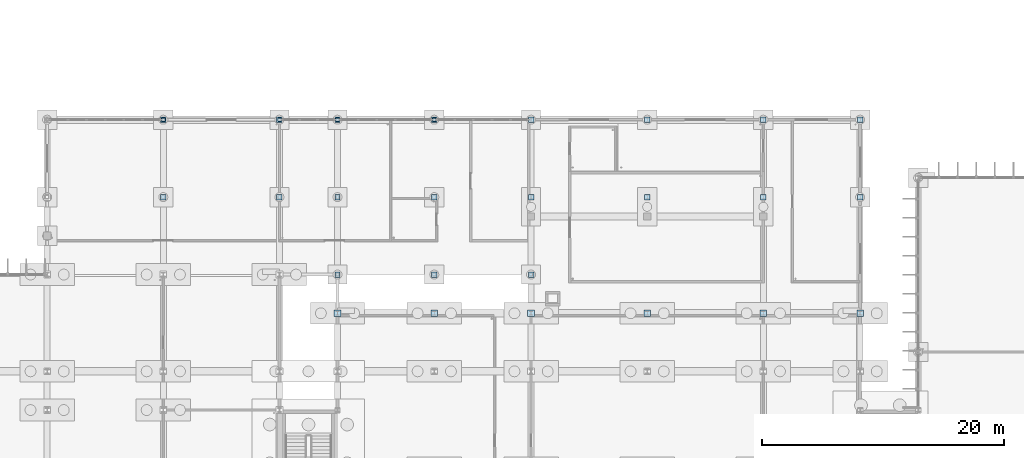
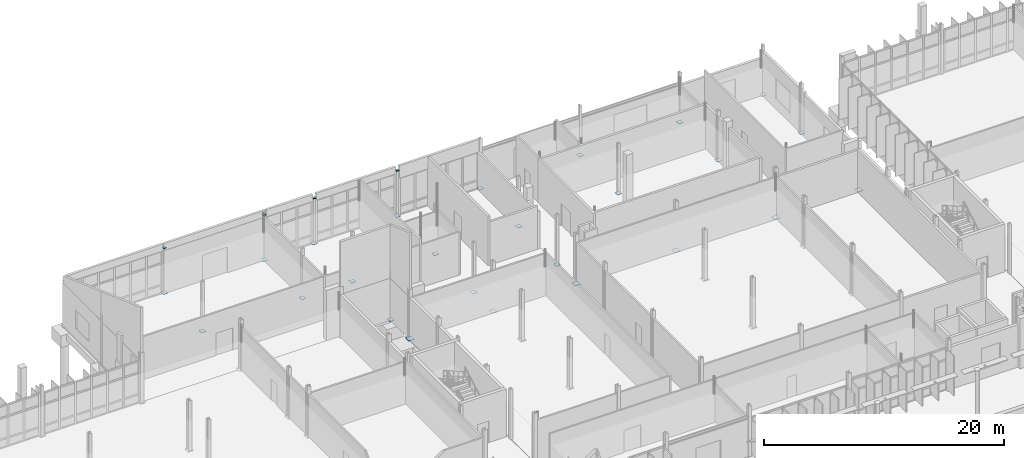
# One storey, part 55 of 111: 29 plates.
"""IFC4 building model written with IfcOpenShell, lengths in metres."""

from ifc_helpers import new_model, si_unit, direction, frame, origin, origin_2d, place, context, subcontext, project, spatial, rectangle, extrude, material, layer, layer_set, type_object, element, save


model = new_model("IFC4")

# Units and contexts
model_context = context("Model", 3, precision=1e-05, world=origin(), true_north=direction((0.0, 1.0)))
body_context = subcontext(model_context, "Body", "Model", "MODEL_VIEW")
ifc_project = project(units=[si_unit("LENGTHUNIT", "METRE"), si_unit("AREAUNIT", "SQUARE_METRE"), si_unit("VOLUMEUNIT", "CUBIC_METRE"), si_unit("PLANEANGLEUNIT", "RADIAN"), si_unit("MASSUNIT", "GRAM", prefix="KILO")], contexts=[model_context])

# Site, building, storey
site_placement = place(None, origin())
site = spatial("IfcSite", under=ifc_project, at=site_placement, CompositionType="ELEMENT")
building_placement = place(site_placement, origin())
building = spatial("IfcBuilding", under=site, at=building_placement, Name="Dunescarp Central Library", CompositionType="ELEMENT")
storey_placement = place(building_placement, origin())
storey = spatial("IfcBuildingStorey", under=building, at=storey_placement, Name="L00", CompositionType="ELEMENT", Elevation=0.0)

# Plates
ifc_material = material(Name="Steel S355J0", Category="steel")
ifc_layer_1 = layer(ifc_material, 0.031982421875)
ifc_layer_set_1 = layer_set([ifc_layer_1], Name="Steel S355J0")
plate_type_1 = type_object("IfcPlateType", Name="STR-PLT-BP02", PredefinedType="USERDEFINED", material=ifc_layer_set_1)
for number, where, z_axis, x_axis, name in (
    (1, (81.60009765625, 33.60009765625, -0.03076171875), (0.0, 0.0, 1.0), (1.0, 0.0, 0.0), "Column base plate BPL-065"),
    (2, (89.60009765625, 33.60009765625, -0.03076171875), (0.0, 0.0, 1.0), (1.0, 0.0, 0.0), "Column base plate BPL-070"),
    (3, (97.60009765625, 33.60009765625, -0.03076171875), (0.0, 0.0, 1.0), (1.0, 0.0, 0.0), "Column base plate BPL-075"),
    (4, (107.199951171875, 33.60009765625, -0.03076171875), (0.0, 0.0, 1.0), (1.0, 0.0, 0.0), "Column base plate BPL-080"),
    (5, (116.800048828125, 33.60009765625, -0.03076171875), (0.0, 0.0, 1.0), (1.0, 0.0, 0.0), "Column base plate BPL-085"),
    (6, (124.800048828125, 33.60009765625, -0.03076171875), (0.0, 0.0, 1.0), (1.0, 0.0, 0.0), "Column base plate BPL-090"),
):
    element("IfcPlate", number, at=place(storey_placement, frame(where, z_axis=z_axis, x_axis=x_axis)), inside=storey, type_object=plate_type_1, Name=name, ObjectType="BASE_PLATE", PredefinedType="USERDEFINED", context=body_context, shape_type="SweptSolid", body=[
        extrude(rectangle(XDim=0.550048828125, YDim=0.550048828125, at=origin_2d()), origin(), (0.0, 0.0, 1.0), 0.031982421875),
    ])
ifc_layer_2 = layer(ifc_material, 0.028076171875)
ifc_layer_set_2 = layer_set([ifc_layer_2], Name="Steel S355J0")
plate_type_2 = type_object("IfcPlateType", Name="STR-PLT-BP03", PredefinedType="USERDEFINED", material=ifc_layer_set_2)
for number, where, z_axis, x_axis, name in (
    (7, (97.60009765625, 43.199951171875, -0.02880859375), (0.0, 0.0, 1.0), (1.0, 0.0, 0.0), "Column base plate BPL-097"),
    (8, (97.60009765625, 49.60009765625, -0.02880859375), (0.0, 0.0, 1.0), (1.0, 0.0, 0.0), "Column base plate BPL-098"),
    (9, (107.199951171875, 43.199951171875, -0.02880859375), (0.0, 0.0, 1.0), (1.0, 0.0, 0.0), "Column base plate BPL-099"),
    (10, (107.199951171875, 49.60009765625, -0.02880859375), (0.0, 0.0, 1.0), (1.0, 0.0, 0.0), "Column base plate BPL-100"),
    (11, (116.800048828125, 43.199951171875, -0.02880859375), (0.0, 0.0, 1.0), (1.0, 0.0, 0.0), "Column base plate BPL-101"),
    (12, (116.800048828125, 49.60009765625, -0.02880859375), (0.0, 0.0, 1.0), (1.0, 0.0, 0.0), "Column base plate BPL-102"),
    (13, (124.800048828125, 43.199951171875, -0.02880859375), (0.0, 0.0, 1.0), (1.0, 0.0, 0.0), "Column base plate BPL-103"),
    (14, (124.800048828125, 49.60009765625, -0.02880859375), (0.0, 0.0, 1.0), (1.0, 0.0, 0.0), "Column base plate BPL-104"),
    (15, (67.199951171875, 43.199951171875, -0.02880859375), (0.0, 0.0, 1.0), (1.0, 0.0, 0.0), "Column base plate BPL-194"),
    (16, (67.199951171875, 49.60009765625, -0.02880859375), (0.0, 0.0, 1.0), (1.0, 0.0, 0.0), "Column base plate BPL-195"),
    (17, (76.800048828125, 43.199951171875, -0.02880859375), (0.0, 0.0, 1.0), (1.0, 0.0, 0.0), "Column base plate BPL-196"),
    (18, (76.800048828125, 49.60009765625, -0.02880859375), (0.0, 0.0, 1.0), (1.0, 0.0, 0.0), "Column base plate BPL-197"),
    (19, (81.60009765625, 36.800048828125, -0.02880859375), (0.0, 0.0, 1.0), (1.0, 0.0, 0.0), "Column base plate BPL-198"),
    (20, (81.60009765625, 43.199951171875, -0.02880859375), (0.0, 0.0, 1.0), (1.0, 0.0, 0.0), "Column base plate BPL-199"),
    (21, (81.60009765625, 49.60009765625, -0.02880859375), (0.0, 0.0, 1.0), (1.0, 0.0, 0.0), "Column base plate BPL-200"),
    (22, (89.60009765625, 36.800048828125, -0.02880859375), (0.0, 0.0, 1.0), (1.0, 0.0, 0.0), "Column base plate BPL-201"),
    (23, (89.60009765625, 43.199951171875, -0.02880859375), (0.0, 0.0, 1.0), (1.0, 0.0, 0.0), "Column base plate BPL-202"),
    (24, (89.60009765625, 49.60009765625, -0.02880859375), (0.0, 0.0, 1.0), (1.0, 0.0, 0.0), "Column base plate BPL-203"),
    (25, (97.60009765625, 36.800048828125, -0.02880859375), (0.0, 0.0, 1.0), (1.0, 0.0, 0.0), "Column base plate BPL-204"),
):
    element("IfcPlate", number, at=place(storey_placement, frame(where, z_axis=z_axis, x_axis=x_axis)), inside=storey, type_object=plate_type_2, Name=name, ObjectType="BASE_PLATE", PredefinedType="USERDEFINED", context=body_context, shape_type="SweptSolid", body=[
        extrude(rectangle(XDim=0.449951171875, YDim=0.449951171875, at=origin_2d()), origin(), (0.0, 0.0, 1.0), 0.028076171875),
    ])
ifc_layer_3 = layer(ifc_material, 0.035888671875)
ifc_layer_set_3 = layer_set([ifc_layer_3], Name="Steel S355J0")
plate_type_3 = type_object("IfcPlateType", Name="STR-PLT-ECP1", PredefinedType="USERDEFINED", material=ifc_layer_set_3)
for number, where, z_axis, x_axis, name in (
    (26, (67.199951171875, 49.60009765625, 4.580078125), (0.0, 0.0, 1.0), (1.0, 0.0, 0.0), "Column top cap plate ECP-C028"),
    (27, (76.800048828125, 49.60009765625, 4.580078125), (0.0, 0.0, 1.0), (1.0, 0.0, 0.0), "Column top cap plate ECP-C030"),
    (28, (81.60009765625, 49.60009765625, 4.580078125), (0.0, 0.0, 1.0), (1.0, 0.0, 0.0), "Column top cap plate ECP-C033"),
    (29, (89.60009765625, 49.60009765625, 4.580078125), (0.0, 0.0, 1.0), (1.0, 0.0, 0.0), "Column top cap plate ECP-C036"),
):
    element("IfcPlate", number, at=place(storey_placement, frame(where, z_axis=z_axis, x_axis=x_axis)), inside=storey, type_object=plate_type_3, Name=name, ObjectType="GUSSET_PLATE", PredefinedType="USERDEFINED", context=body_context, shape_type="SweptSolid", body=[
        extrude(rectangle(XDim=0.260009765625, YDim=0.260009765625, at=origin_2d()), origin(), (0.0, 0.0, 1.0), 0.035888671875),
    ])

save(model, "model.ifc")
